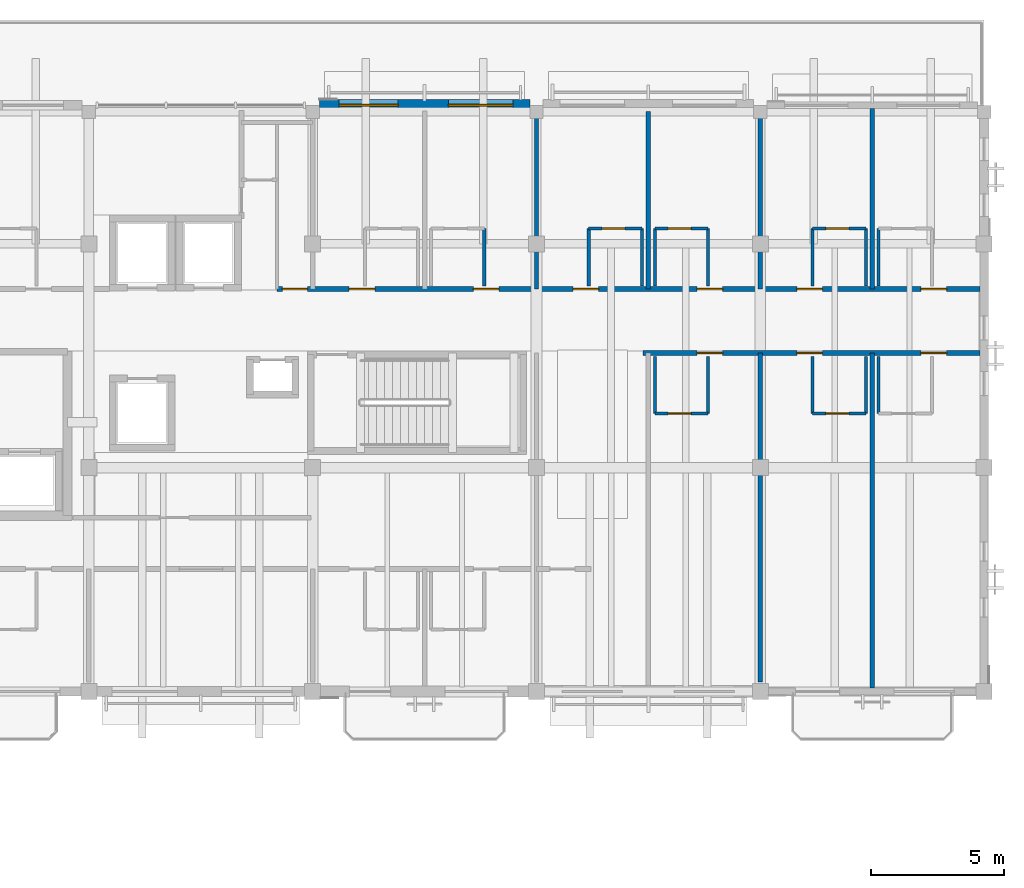
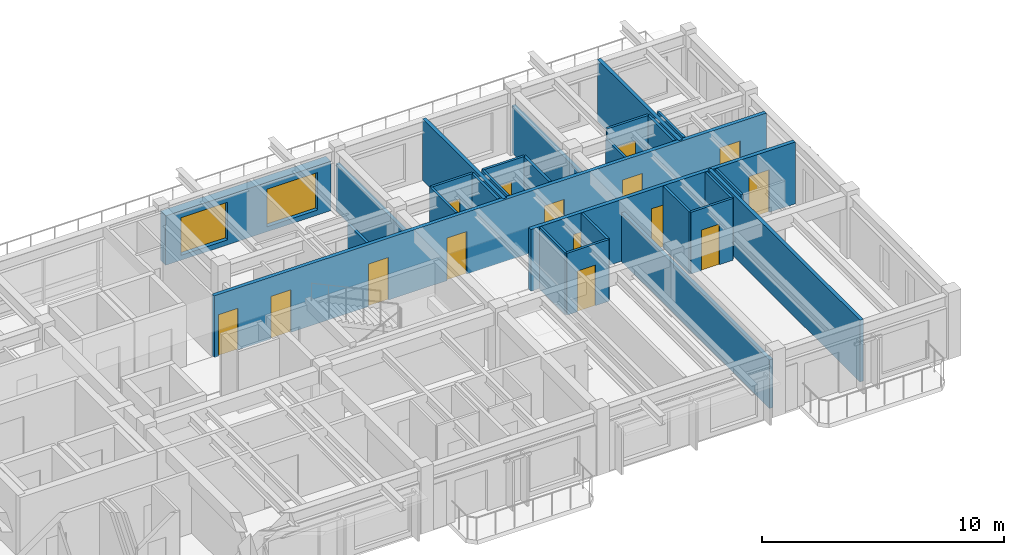
# One storey, part 14 of 22: 27 walls, 15 doors, 2 windows, 17 openings.
"""IFC4 building model written with IfcOpenShell, lengths in metres."""

from ifc_helpers import new_model, si_unit, direction, frame, frame_2d, origin, place, context, subcontext, project, spatial, rectangle, extrude, material, layer, layer_set, type_object, element, fill, save


model = new_model("IFC4")

# Units and contexts
model_context = context("Model", 3, precision=1e-05, world=origin(), true_north=direction((0.0, 1.0)))
body_context = subcontext(model_context, "Body", "Model", "MODEL_VIEW")
ifc_project = project(units=[si_unit("LENGTHUNIT", "METRE"), si_unit("AREAUNIT", "SQUARE_METRE"), si_unit("VOLUMEUNIT", "CUBIC_METRE"), si_unit("PLANEANGLEUNIT", "RADIAN"), si_unit("MASSUNIT", "GRAM", prefix="KILO")], contexts=[model_context])

# Site, building, storey
site_placement = place(None, origin())
site = spatial("IfcSite", under=ifc_project, at=site_placement, CompositionType="ELEMENT")
building_placement = place(site_placement, origin())
building = spatial("IfcBuilding", under=site, at=building_placement, Name="Cumbredor Promenade Congress Hotel", CompositionType="ELEMENT")
storey_placement = place(building_placement, frame((0.0, 0.0, 28.56005859375)))
storey = spatial("IfcBuildingStorey", under=building, at=storey_placement, Name="L08", CompositionType="ELEMENT", Elevation=28.56005859375)

# Wall
ifc_material_1 = material(Name="Moisture-resistant gypsum board on steel studs", Category="steel")
ifc_layer_1 = layer(ifc_material_1, 0.114990234375, Name="Moisture-resistant gypsum board on steel studs", Category="steel")
ifc_layer_set_1 = layer_set([ifc_layer_1], Name="Moisture-resistant gypsum board on steel studs")
wall_type_1 = type_object("IfcWallType", Name="WL-BATH-115", PredefinedType="PARTITIONING", material=ifc_layer_set_1)
wall_1_placement = place(storey_placement, frame((48.43994140625, 107.6201171875, 0.0), z_axis=(0.0, 0.0, 1.0), x_axis=(0.0, 1.0, 0.0)))
element("IfcWall", 1, at=wall_1_placement, inside=storey, type_object=wall_type_1, Name="L08 Interior Partition W-L08-BV2-0807", PredefinedType="PARTITIONING", context=body_context, shape_type="SweptSolid", body=[
    extrude(rectangle(XDim=2.14990234375, YDim=0.114990234375, at=frame_2d((1.074951171875, 0.0))), origin(), (0.0, 0.0, 1.0), 2.641845703125),
])

# Wall, opening, door
wall_2_placement = place(storey_placement, frame((52.360107421875, 109.77001953125, 0.0), z_axis=(0.0, 0.0, 1.0), x_axis=(1.0, 0.0, 0.0)))
wall_2 = element("IfcWall", 2, at=wall_2_placement, inside=storey, type_object=wall_type_1, Name="L08 Interior Partition W-L08-BH-0808", PredefinedType="PARTITIONING", context=body_context, shape_type="SweptSolid", body=[
    extrude(rectangle(XDim=2.0, YDim=0.114990234375, at=frame_2d((1.0, 0.0))), origin(), (0.0, 0.0, 1.0), 3.119873046875),
])
opening_1_placement = place(wall_2_placement, frame((0.5, 0.0, 0.0)))
opening_1 = element("IfcOpeningElement", 3, at=opening_1_placement, cuts=wall_2, Name="Opening ID-01", PredefinedType="OPENING", context=body_context, shape_type="SweptSolid", body=[
    extrude(rectangle(XDim=0.860107421875, YDim=2.050048828125, at=frame_2d((0.43017578125, 1.02490234375))), frame((0.0, 0.0673828125, 0.0), z_axis=(0.0, -1.0, 0.0), x_axis=(1.0, 0.0, 0.0)), (0.0, 0.0, 1.0), 0.135009765625),
])
ifc_material_2 = material(Name="Kiln-dried tropical hardwood", Category="wood")
door_type_1 = type_object("IfcDoorType", Name="DR-BATH-860", OperationType="NOTDEFINED", PredefinedType="DOOR", material=ifc_material_2)
door_1_placement = place(opening_1_placement, origin())
door_1 = element("IfcDoor", 4, at=door_1_placement, inside=storey, type_object=door_type_1, Name="L08 Interior Door W-L08-BH-0808-01", OperationType="SINGLE_SWING_RIGHT", OverallHeight=2.050048828125, OverallWidth=0.860107421875, PredefinedType="DOOR", context=body_context, shape_type="SweptSolid", body=[
    extrude(rectangle(XDim=0.860107421875, YDim=2.050048828125, at=frame_2d((0.43017578125, 1.02490234375))), frame((0.0, 0.02490234375, 0.0), z_axis=(0.0, -1.0, 0.0), x_axis=(1.0, 0.0, 0.0)), (0.0, 0.0, 1.0), 0.050048828125),
])
fill(opening_1, door_1)

# Walls
for number, where, z_axis, x_axis, name in (
    (5, (52.360107421875, 107.6201171875, 0.0), (0.0, 0.0, 1.0), (0.0, 1.0, 0.0), "L08 Interior Partition W-L08-BV1-0808"),
    (6, (54.360107421875, 107.6201171875, 0.0), (0.0, 0.0, 1.0), (0.0, 1.0, 0.0), "L08 Interior Partition W-L08-BV2-0808"),
):
    element("IfcWall", number, at=place(storey_placement, frame(where, z_axis=z_axis, x_axis=x_axis)), inside=storey, type_object=wall_type_1, Name=name, PredefinedType="PARTITIONING", context=body_context, shape_type="SweptSolid", body=[
        extrude(rectangle(XDim=2.14990234375, YDim=0.114990234375, at=frame_2d((1.074951171875, 0.0))), origin(), (0.0, 0.0, 1.0), 3.119873046875),
    ])

# Wall, opening, door
wall_3_placement = place(storey_placement, frame((54.840087890625, 109.77001953125, 0.0), z_axis=(0.0, 0.0, 1.0), x_axis=(1.0, 0.0, 0.0)))
wall_3 = element("IfcWall", 7, at=wall_3_placement, inside=storey, type_object=wall_type_1, Name="L08 Interior Partition W-L08-BH-0809", PredefinedType="PARTITIONING", context=body_context, shape_type="SweptSolid", body=[
    extrude(rectangle(XDim=2.0, YDim=0.114990234375, at=frame_2d((1.0, 0.0))), origin(), (0.0, 0.0, 1.0), 3.119873046875),
])
opening_2_placement = place(wall_3_placement, frame((0.5, 0.0, 0.0)))
opening_2 = element("IfcOpeningElement", 8, at=opening_2_placement, cuts=wall_3, Name="Opening ID-01", PredefinedType="OPENING", context=body_context, shape_type="SweptSolid", body=[
    extrude(rectangle(XDim=0.860107421875, YDim=2.050048828125, at=frame_2d((0.43017578125, 1.02490234375))), frame((0.0, 0.0673828125, 0.0), z_axis=(0.0, -1.0, 0.0), x_axis=(1.0, 0.0, 0.0)), (0.0, 0.0, 1.0), 0.135009765625),
])
door_2_placement = place(opening_2_placement, origin())
door_2 = element("IfcDoor", 9, at=door_2_placement, inside=storey, type_object=door_type_1, Name="L08 Interior Door W-L08-BH-0809-01", OperationType="SINGLE_SWING_LEFT", OverallHeight=2.050048828125, OverallWidth=0.860107421875, PredefinedType="DOOR", context=body_context, shape_type="SweptSolid", body=[
    extrude(rectangle(XDim=0.860107421875, YDim=2.050048828125, at=frame_2d((0.43017578125, 1.02490234375))), frame((0.0, 0.02490234375, 0.0), z_axis=(0.0, -1.0, 0.0), x_axis=(1.0, 0.0, 0.0)), (0.0, 0.0, 1.0), 0.050048828125),
])
fill(opening_2, door_2)

# Walls
for number, where, z_axis, x_axis, name in (
    (10, (54.840087890625, 107.6201171875, 0.0), (0.0, 0.0, 1.0), (0.0, 1.0, 0.0), "L08 Interior Partition W-L08-BV1-0809"),
    (11, (56.840087890625, 107.6201171875, 0.0), (0.0, 0.0, 1.0), (0.0, 1.0, 0.0), "L08 Interior Partition W-L08-BV2-0809"),
):
    element("IfcWall", number, at=place(storey_placement, frame(where, z_axis=z_axis, x_axis=x_axis)), inside=storey, type_object=wall_type_1, Name=name, PredefinedType="PARTITIONING", context=body_context, shape_type="SweptSolid", body=[
        extrude(rectangle(XDim=2.14990234375, YDim=0.114990234375, at=frame_2d((1.074951171875, 0.0))), origin(), (0.0, 0.0, 1.0), 3.119873046875),
    ])

# Wall, opening, door
wall_4_placement = place(storey_placement, frame((60.760009765625, 109.77001953125, 0.0), z_axis=(0.0, 0.0, 1.0), x_axis=(1.0, 0.0, 0.0)))
wall_4 = element("IfcWall", 12, at=wall_4_placement, inside=storey, type_object=wall_type_1, Name="L08 Interior Partition W-L08-BH-0810", PredefinedType="PARTITIONING", context=body_context, shape_type="SweptSolid", body=[
    extrude(rectangle(XDim=2.0, YDim=0.114990234375, at=frame_2d((1.0, 0.0))), origin(), (0.0, 0.0, 1.0), 3.119873046875),
])
opening_3_placement = place(wall_4_placement, frame((0.5, 0.0, 0.0)))
opening_3 = element("IfcOpeningElement", 13, at=opening_3_placement, cuts=wall_4, Name="Opening ID-01", PredefinedType="OPENING", context=body_context, shape_type="SweptSolid", body=[
    extrude(rectangle(XDim=0.860107421875, YDim=2.050048828125, at=frame_2d((0.43017578125, 1.02490234375))), frame((0.0, 0.0673828125, 0.0), z_axis=(0.0, -1.0, 0.0), x_axis=(1.0, 0.0, 0.0)), (0.0, 0.0, 1.0), 0.135009765625),
])
door_3_placement = place(opening_3_placement, origin())
door_3 = element("IfcDoor", 14, at=door_3_placement, inside=storey, type_object=door_type_1, Name="L08 Interior Door W-L08-BH-0810-01", OperationType="SINGLE_SWING_RIGHT", OverallHeight=2.050048828125, OverallWidth=0.860107421875, PredefinedType="DOOR", context=body_context, shape_type="SweptSolid", body=[
    extrude(rectangle(XDim=0.860107421875, YDim=2.050048828125, at=frame_2d((0.43017578125, 1.02490234375))), frame((0.0, 0.02490234375, 0.0), z_axis=(0.0, -1.0, 0.0), x_axis=(1.0, 0.0, 0.0)), (0.0, 0.0, 1.0), 0.050048828125),
])
fill(opening_3, door_3)

# Walls
wall_5_placement = place(storey_placement, frame((60.760009765625, 107.6201171875, 0.0), z_axis=(0.0, 0.0, 1.0), x_axis=(0.0, 1.0, 0.0)))
element("IfcWall", 15, at=wall_5_placement, inside=storey, type_object=wall_type_1, Name="L08 Interior Partition W-L08-BV1-0810", PredefinedType="PARTITIONING", context=body_context, shape_type="SweptSolid", body=[
    extrude(rectangle(XDim=2.14990234375, YDim=0.114990234375, at=frame_2d((1.074951171875, 0.0))), origin(), (0.0, 0.0, 1.0), 2.641845703125),
])
for number, where, z_axis, x_axis, name in (
    (16, (62.760009765625, 107.6201171875, 0.0), (0.0, 0.0, 1.0), (0.0, 1.0, 0.0), "L08 Interior Partition W-L08-BV2-0810"),
    (17, (63.239990234375, 107.6201171875, 0.0), (0.0, 0.0, 1.0), (0.0, 1.0, 0.0), "L08 Interior Partition W-L08-BV1-0811"),
):
    element("IfcWall", number, at=place(storey_placement, frame(where, z_axis=z_axis, x_axis=x_axis)), inside=storey, type_object=wall_type_1, Name=name, PredefinedType="PARTITIONING", context=body_context, shape_type="SweptSolid", body=[
        extrude(rectangle(XDim=2.14990234375, YDim=0.114990234375, at=frame_2d((1.074951171875, 0.0))), origin(), (0.0, 0.0, 1.0), 3.119873046875),
    ])

# Wall, opening, door
wall_6_placement = place(storey_placement, frame((54.840087890625, 102.830078125, 0.0), z_axis=(0.0, 0.0, 1.0), x_axis=(1.0, 0.0, 0.0)))
wall_6 = element("IfcWall", 18, at=wall_6_placement, inside=storey, type_object=wall_type_1, Name="L08 Interior Partition W-L08-BH-0812", PredefinedType="PARTITIONING", context=body_context, shape_type="SweptSolid", body=[
    extrude(rectangle(XDim=2.0, YDim=0.114990234375, at=frame_2d((1.0, 0.0))), origin(), (0.0, 0.0, 1.0), 3.119873046875),
])
opening_4_placement = place(wall_6_placement, frame((0.5, 0.0, 0.0)))
opening_4 = element("IfcOpeningElement", 19, at=opening_4_placement, cuts=wall_6, Name="Opening ID-01", PredefinedType="OPENING", context=body_context, shape_type="SweptSolid", body=[
    extrude(rectangle(XDim=0.860107421875, YDim=2.050048828125, at=frame_2d((0.43017578125, 1.02490234375))), frame((0.0, 0.0673828125, 0.0), z_axis=(0.0, -1.0, 0.0), x_axis=(1.0, 0.0, 0.0)), (0.0, 0.0, 1.0), 0.135009765625),
])
door_4_placement = place(opening_4_placement, origin())
door_4 = element("IfcDoor", 20, at=door_4_placement, inside=storey, type_object=door_type_1, Name="L08 Interior Door W-L08-BH-0812-01", OperationType="SINGLE_SWING_RIGHT", OverallHeight=2.050048828125, OverallWidth=0.860107421875, PredefinedType="DOOR", context=body_context, shape_type="SweptSolid", body=[
    extrude(rectangle(XDim=0.860107421875, YDim=2.050048828125, at=frame_2d((0.43017578125, 1.02490234375))), frame((0.0, 0.02490234375, 0.0), z_axis=(0.0, -1.0, 0.0), x_axis=(1.0, 0.0, 0.0)), (0.0, 0.0, 1.0), 0.050048828125),
])
fill(opening_4, door_4)

# Walls
for number, where, z_axis, x_axis, name in (
    (21, (54.840087890625, 102.830078125, 0.0), (0.0, 0.0, 1.0), (0.0, 1.0, 0.0), "L08 Interior Partition W-L08-BV1-0812"),
    (22, (56.840087890625, 102.830078125, 0.0), (0.0, 0.0, 1.0), (0.0, 1.0, 0.0), "L08 Interior Partition W-L08-BV2-0812"),
):
    element("IfcWall", number, at=place(storey_placement, frame(where, z_axis=z_axis, x_axis=x_axis)), inside=storey, type_object=wall_type_1, Name=name, PredefinedType="PARTITIONING", context=body_context, shape_type="SweptSolid", body=[
        extrude(rectangle(XDim=2.14990234375, YDim=0.114990234375, at=frame_2d((1.074951171875, 0.0))), origin(), (0.0, 0.0, 1.0), 3.119873046875),
    ])

# Wall, opening, door
wall_7_placement = place(storey_placement, frame((60.760009765625, 102.830078125, 0.0), z_axis=(0.0, 0.0, 1.0), x_axis=(1.0, 0.0, 0.0)))
wall_7 = element("IfcWall", 23, at=wall_7_placement, inside=storey, type_object=wall_type_1, Name="L08 Interior Partition W-L08-BH-0813", PredefinedType="PARTITIONING", context=body_context, shape_type="SweptSolid", body=[
    extrude(rectangle(XDim=2.0, YDim=0.114990234375, at=frame_2d((1.0, 0.0))), origin(), (0.0, 0.0, 1.0), 3.119873046875),
])
opening_5_placement = place(wall_7_placement, frame((0.5, 0.0, 0.0)))
opening_5 = element("IfcOpeningElement", 24, at=opening_5_placement, cuts=wall_7, Name="Opening ID-01", PredefinedType="OPENING", context=body_context, shape_type="SweptSolid", body=[
    extrude(rectangle(XDim=0.860107421875, YDim=2.050048828125, at=frame_2d((0.43017578125, 1.02490234375))), frame((0.0, 0.0673828125, 0.0), z_axis=(0.0, -1.0, 0.0), x_axis=(1.0, 0.0, 0.0)), (0.0, 0.0, 1.0), 0.135009765625),
])
door_5_placement = place(opening_5_placement, origin())
door_5 = element("IfcDoor", 25, at=door_5_placement, inside=storey, type_object=door_type_1, Name="L08 Interior Door W-L08-BH-0813-01", OperationType="SINGLE_SWING_LEFT", OverallHeight=2.050048828125, OverallWidth=0.860107421875, PredefinedType="DOOR", context=body_context, shape_type="SweptSolid", body=[
    extrude(rectangle(XDim=0.860107421875, YDim=2.050048828125, at=frame_2d((0.43017578125, 1.02490234375))), frame((0.0, 0.02490234375, 0.0), z_axis=(0.0, -1.0, 0.0), x_axis=(1.0, 0.0, 0.0)), (0.0, 0.0, 1.0), 0.050048828125),
])
fill(opening_5, door_5)

# Walls
for number, where, z_axis, x_axis, name in (
    (26, (60.760009765625, 102.830078125, 0.0), (0.0, 0.0, 1.0), (0.0, 1.0, 0.0), "L08 Interior Partition W-L08-BV1-0813"),
    (27, (62.760009765625, 102.830078125, 0.0), (0.0, 0.0, 1.0), (0.0, 1.0, 0.0), "L08 Interior Partition W-L08-BV2-0813"),
    (28, (63.239990234375, 102.830078125, 0.0), (0.0, 0.0, 1.0), (0.0, 1.0, 0.0), "L08 Interior Partition W-L08-BV1-0814"),
):
    element("IfcWall", number, at=place(storey_placement, frame(where, z_axis=z_axis, x_axis=x_axis)), inside=storey, type_object=wall_type_1, Name=name, PredefinedType="PARTITIONING", context=body_context, shape_type="SweptSolid", body=[
        extrude(rectangle(XDim=2.14990234375, YDim=0.114990234375, at=frame_2d((1.074951171875, 0.0))), origin(), (0.0, 0.0, 1.0), 3.119873046875),
    ])

# Wall, openings, doors
ifc_material_3 = material(Name="Fire-rated hotel corridor wall")
ifc_layer_2 = layer(ifc_material_3, 0.179931640625, Name="Fire-rated hotel corridor wall")
ifc_layer_set_2 = layer_set([ifc_layer_2], Name="Fire-rated hotel corridor wall")
wall_type_2 = type_object("IfcWallType", Name="WL-CORR-180", PredefinedType="PARTITIONING", material=ifc_layer_set_2)
wall_8_placement = place(storey_placement, frame((40.659912109375, 107.5, 0.0), z_axis=(0.0, 0.0, 1.0), x_axis=(1.0, 0.0, 0.0)))
wall_8 = element("IfcWall", 29, at=wall_8_placement, inside=storey, type_object=wall_type_2, Name="L08 Interior Partition W-L08-CORR-NE", PredefinedType="PARTITIONING", context=body_context, shape_type="SweptSolid", body=[
    extrude(rectangle(XDim=26.377685546875, YDim=0.179931640625, at=frame_2d((13.18896484375, 0.0))), origin(), (0.0, 0.0, 1.0), 3.119873046875),
])
opening_6_placement = place(wall_8_placement, frame((0.199951171875, 0.0, 0.0)))
opening_6 = element("IfcOpeningElement", 30, at=opening_6_placement, cuts=wall_8, Name="Opening FD-03", PredefinedType="OPENING", context=body_context, shape_type="SweptSolid", body=[
    extrude(rectangle(XDim=0.93994140625, YDim=2.10009765625, at=frame_2d((0.469970703125, 1.050048828125))), frame((0.0, 0.10009765625, 0.0), z_axis=(0.0, -1.0, 0.0), x_axis=(1.0, 0.0, 0.0)), (0.0, 0.0, 1.0), 0.199951171875),
])
opening_7_placement = place(wall_8_placement, frame((2.7099609375, 0.0, 0.0)))
opening_7 = element("IfcOpeningElement", 31, at=opening_7_placement, cuts=wall_8, Name="Opening FD-01", PredefinedType="OPENING", context=body_context, shape_type="SweptSolid", body=[
    extrude(rectangle(XDim=0.9599609375, YDim=2.14990234375, at=frame_2d((0.47998046875, 1.074951171875))), frame((0.0, 0.10009765625, 0.0), z_axis=(0.0, -1.0, 0.0), x_axis=(1.0, 0.0, 0.0)), (0.0, 0.0, 1.0), 0.199951171875),
])
opening_8_placement = place(wall_8_placement, frame((7.3701171875, 0.0, 0.0)))
opening_8 = element("IfcOpeningElement", 32, at=opening_8_placement, cuts=wall_8, Name="Opening FD-01", PredefinedType="OPENING", context=body_context, shape_type="SweptSolid", body=[
    extrude(rectangle(XDim=0.9599609375, YDim=2.14990234375, at=frame_2d((0.47998046875, 1.074951171875))), frame((0.0, 0.10009765625, 0.0), z_axis=(0.0, -1.0, 0.0), x_axis=(1.0, 0.0, 0.0)), (0.0, 0.0, 1.0), 0.199951171875),
])
opening_9_placement = place(wall_8_placement, frame((11.110107421875, 0.0, 0.0)))
opening_9 = element("IfcOpeningElement", 33, at=opening_9_placement, cuts=wall_8, Name="Opening FD-01", PredefinedType="OPENING", context=body_context, shape_type="SweptSolid", body=[
    extrude(rectangle(XDim=0.9599609375, YDim=2.14990234375, at=frame_2d((0.47998046875, 1.074951171875))), frame((0.0, 0.10009765625, 0.0), z_axis=(0.0, -1.0, 0.0), x_axis=(1.0, 0.0, 0.0)), (0.0, 0.0, 1.0), 0.199951171875),
])
opening_10_placement = place(wall_8_placement, frame((15.77001953125, 0.0, 0.0)))
opening_10 = element("IfcOpeningElement", 34, at=opening_10_placement, cuts=wall_8, Name="Opening FD-01", PredefinedType="OPENING", context=body_context, shape_type="SweptSolid", body=[
    extrude(rectangle(XDim=0.9599609375, YDim=2.14990234375, at=frame_2d((0.47998046875, 1.074951171875))), frame((0.0, 0.10009765625, 0.0), z_axis=(0.0, -1.0, 0.0), x_axis=(1.0, 0.0, 0.0)), (0.0, 0.0, 1.0), 0.199951171875),
])
opening_11_placement = place(wall_8_placement, frame((19.510009765625, 0.0, 0.0)))
opening_11 = element("IfcOpeningElement", 35, at=opening_11_placement, cuts=wall_8, Name="Opening FD-01", PredefinedType="OPENING", context=body_context, shape_type="SweptSolid", body=[
    extrude(rectangle(XDim=0.9599609375, YDim=2.14990234375, at=frame_2d((0.47998046875, 1.074951171875))), frame((0.0, 0.10009765625, 0.0), z_axis=(0.0, -1.0, 0.0), x_axis=(1.0, 0.0, 0.0)), (0.0, 0.0, 1.0), 0.199951171875),
])
opening_12_placement = place(wall_8_placement, frame((24.169921875, 0.0, 0.0)))
opening_12 = element("IfcOpeningElement", 36, at=opening_12_placement, cuts=wall_8, Name="Opening FD-01", PredefinedType="OPENING", context=body_context, shape_type="SweptSolid", body=[
    extrude(rectangle(XDim=0.9599609375, YDim=2.14990234375, at=frame_2d((0.47998046875, 1.074951171875))), frame((0.0, 0.10009765625, 0.0), z_axis=(0.0, -1.0, 0.0), x_axis=(1.0, 0.0, 0.0)), (0.0, 0.0, 1.0), 0.199951171875),
])
ifc_material_4 = material(Name="Solid-core fire-rated tropical hardwood", Category="wood")
door_type_2 = type_object("IfcDoorType", Name="DR-GUEST-FD30-950", OperationType="NOTDEFINED", PredefinedType="DOOR", material=ifc_material_4)
door_6_placement = place(opening_7_placement, origin())
door_6 = element("IfcDoor", 37, at=door_6_placement, inside=storey, type_object=door_type_2, Name="L08 Interior Door W-L08-CORR-NE-02", OperationType="SINGLE_SWING_LEFT", OverallHeight=2.14990234375, OverallWidth=0.9599609375, PredefinedType="DOOR", context=body_context, shape_type="SweptSolid", body=[
    extrude(rectangle(XDim=0.9599609375, YDim=2.14990234375, at=frame_2d((0.47998046875, 1.074951171875))), frame((0.0, 0.02490234375, 0.0), z_axis=(0.0, -1.0, 0.0), x_axis=(1.0, 0.0, 0.0)), (0.0, 0.0, 1.0), 0.050048828125),
])
fill(opening_7, door_6)
door_7_placement = place(opening_8_placement, origin())
door_7 = element("IfcDoor", 38, at=door_7_placement, inside=storey, type_object=door_type_2, Name="L08 Interior Door W-L08-CORR-NE-03", OperationType="SINGLE_SWING_RIGHT", OverallHeight=2.14990234375, OverallWidth=0.9599609375, PredefinedType="DOOR", context=body_context, shape_type="SweptSolid", body=[
    extrude(rectangle(XDim=0.9599609375, YDim=2.14990234375, at=frame_2d((0.47998046875, 1.074951171875))), frame((0.0, 0.02490234375, 0.0), z_axis=(0.0, -1.0, 0.0), x_axis=(1.0, 0.0, 0.0)), (0.0, 0.0, 1.0), 0.050048828125),
])
fill(opening_8, door_7)
door_8_placement = place(opening_9_placement, origin())
door_8 = element("IfcDoor", 39, at=door_8_placement, inside=storey, type_object=door_type_2, Name="L08 Interior Door W-L08-CORR-NE-04", OperationType="SINGLE_SWING_LEFT", OverallHeight=2.14990234375, OverallWidth=0.9599609375, PredefinedType="DOOR", context=body_context, shape_type="SweptSolid", body=[
    extrude(rectangle(XDim=0.9599609375, YDim=2.14990234375, at=frame_2d((0.47998046875, 1.074951171875))), frame((0.0, 0.02490234375, 0.0), z_axis=(0.0, -1.0, 0.0), x_axis=(1.0, 0.0, 0.0)), (0.0, 0.0, 1.0), 0.050048828125),
])
fill(opening_9, door_8)
door_9_placement = place(opening_10_placement, origin())
door_9 = element("IfcDoor", 40, at=door_9_placement, inside=storey, type_object=door_type_2, Name="L08 Interior Door W-L08-CORR-NE-05", OperationType="SINGLE_SWING_RIGHT", OverallHeight=2.14990234375, OverallWidth=0.9599609375, PredefinedType="DOOR", context=body_context, shape_type="SweptSolid", body=[
    extrude(rectangle(XDim=0.9599609375, YDim=2.14990234375, at=frame_2d((0.47998046875, 1.074951171875))), frame((0.0, 0.02490234375, 0.0), z_axis=(0.0, -1.0, 0.0), x_axis=(1.0, 0.0, 0.0)), (0.0, 0.0, 1.0), 0.050048828125),
])
fill(opening_10, door_9)
door_10_placement = place(opening_11_placement, origin())
door_10 = element("IfcDoor", 41, at=door_10_placement, inside=storey, type_object=door_type_2, Name="L08 Interior Door W-L08-CORR-NE-06", OperationType="SINGLE_SWING_LEFT", OverallHeight=2.14990234375, OverallWidth=0.9599609375, PredefinedType="DOOR", context=body_context, shape_type="SweptSolid", body=[
    extrude(rectangle(XDim=0.9599609375, YDim=2.14990234375, at=frame_2d((0.47998046875, 1.074951171875))), frame((0.0, 0.02490234375, 0.0), z_axis=(0.0, -1.0, 0.0), x_axis=(1.0, 0.0, 0.0)), (0.0, 0.0, 1.0), 0.050048828125),
])
fill(opening_11, door_10)
door_11_placement = place(opening_12_placement, origin())
door_11 = element("IfcDoor", 42, at=door_11_placement, inside=storey, type_object=door_type_2, Name="L08 Interior Door W-L08-CORR-NE-07", OperationType="SINGLE_SWING_RIGHT", OverallHeight=2.14990234375, OverallWidth=0.9599609375, PredefinedType="DOOR", context=body_context, shape_type="SweptSolid", body=[
    extrude(rectangle(XDim=0.9599609375, YDim=2.14990234375, at=frame_2d((0.47998046875, 1.074951171875))), frame((0.0, 0.02490234375, 0.0), z_axis=(0.0, -1.0, 0.0), x_axis=(1.0, 0.0, 0.0)), (0.0, 0.0, 1.0), 0.050048828125),
])
fill(opening_12, door_11)
ifc_material_5 = material(Name="Painted galvanized steel fire door", Category="steel")
door_type_3 = type_object("IfcDoorType", Name="DR-SGL-FD60-950", OperationType="NOTDEFINED", PredefinedType="DOOR", material=ifc_material_5)
door_12_placement = place(opening_6_placement, origin())
door_12 = element("IfcDoor", 43, at=door_12_placement, inside=storey, type_object=door_type_3, Name="L08 Interior Door W-L08-CORR-NE-01", OperationType="SINGLE_SWING_RIGHT", OverallHeight=2.10009765625, OverallWidth=0.93994140625, PredefinedType="DOOR", context=body_context, shape_type="SweptSolid", body=[
    extrude(rectangle(XDim=0.93994140625, YDim=2.10009765625, at=frame_2d((0.469970703125, 1.050048828125))), frame((0.0, 0.02490234375, 0.0), z_axis=(0.0, -1.0, 0.0), x_axis=(1.0, 0.0, 0.0)), (0.0, 0.0, 1.0), 0.050048828125),
])
fill(opening_6, door_12)

wall_9_placement = place(storey_placement, frame((54.39990234375, 105.10009765625, 0.0), z_axis=(0.0, 0.0, 1.0), x_axis=(1.0, 0.0, 0.0)))
wall_9 = element("IfcWall", 44, at=wall_9_placement, inside=storey, type_object=wall_type_2, Name="L08 Interior Partition W-L08-CORR-SE", PredefinedType="PARTITIONING", context=body_context, shape_type="SweptSolid", body=[
    extrude(rectangle(XDim=12.6376953125, YDim=0.179931640625, at=frame_2d((6.31884765625, 0.0))), origin(), (0.0, 0.0, 1.0), 3.119873046875),
])
opening_13_placement = place(wall_9_placement, frame((2.030029296875, 0.0, 0.0)))
opening_13 = element("IfcOpeningElement", 45, at=opening_13_placement, cuts=wall_9, Name="Opening FD-01", PredefinedType="OPENING", context=body_context, shape_type="SweptSolid", body=[
    extrude(rectangle(XDim=0.9599609375, YDim=2.14990234375, at=frame_2d((0.47998046875, 1.074951171875))), frame((0.0, 0.10009765625, 0.0), z_axis=(0.0, -1.0, 0.0), x_axis=(1.0, 0.0, 0.0)), (0.0, 0.0, 1.0), 0.199951171875),
])
opening_14_placement = place(wall_9_placement, frame((5.77001953125, 0.0, 0.0)))
opening_14 = element("IfcOpeningElement", 46, at=opening_14_placement, cuts=wall_9, Name="Opening FD-01", PredefinedType="OPENING", context=body_context, shape_type="SweptSolid", body=[
    extrude(rectangle(XDim=0.9599609375, YDim=2.14990234375, at=frame_2d((0.47998046875, 1.074951171875))), frame((0.0, 0.10009765625, 0.0), z_axis=(0.0, -1.0, 0.0), x_axis=(1.0, 0.0, 0.0)), (0.0, 0.0, 1.0), 0.199951171875),
])
opening_15_placement = place(wall_9_placement, frame((10.429931640625, 0.0, 0.0)))
opening_15 = element("IfcOpeningElement", 47, at=opening_15_placement, cuts=wall_9, Name="Opening FD-01", PredefinedType="OPENING", context=body_context, shape_type="SweptSolid", body=[
    extrude(rectangle(XDim=0.9599609375, YDim=2.14990234375, at=frame_2d((0.47998046875, 1.074951171875))), frame((0.0, 0.10009765625, 0.0), z_axis=(0.0, -1.0, 0.0), x_axis=(1.0, 0.0, 0.0)), (0.0, 0.0, 1.0), 0.199951171875),
])
door_13_placement = place(opening_13_placement, origin())
door_13 = element("IfcDoor", 48, at=door_13_placement, inside=storey, type_object=door_type_2, Name="L08 Interior Door W-L08-CORR-SE-01", OperationType="SINGLE_SWING_LEFT", OverallHeight=2.14990234375, OverallWidth=0.9599609375, PredefinedType="DOOR", context=body_context, shape_type="SweptSolid", body=[
    extrude(rectangle(XDim=0.9599609375, YDim=2.14990234375, at=frame_2d((0.47998046875, 1.074951171875))), frame((0.0, 0.02490234375, 0.0), z_axis=(0.0, -1.0, 0.0), x_axis=(1.0, 0.0, 0.0)), (0.0, 0.0, 1.0), 0.050048828125),
])
fill(opening_13, door_13)
door_14_placement = place(opening_14_placement, origin())
door_14 = element("IfcDoor", 49, at=door_14_placement, inside=storey, type_object=door_type_2, Name="L08 Interior Door W-L08-CORR-SE-02", OperationType="SINGLE_SWING_RIGHT", OverallHeight=2.14990234375, OverallWidth=0.9599609375, PredefinedType="DOOR", context=body_context, shape_type="SweptSolid", body=[
    extrude(rectangle(XDim=0.9599609375, YDim=2.14990234375, at=frame_2d((0.47998046875, 1.074951171875))), frame((0.0, 0.02490234375, 0.0), z_axis=(0.0, -1.0, 0.0), x_axis=(1.0, 0.0, 0.0)), (0.0, 0.0, 1.0), 0.050048828125),
])
fill(opening_14, door_14)
door_15_placement = place(opening_15_placement, origin())
door_15 = element("IfcDoor", 50, at=door_15_placement, inside=storey, type_object=door_type_2, Name="L08 Interior Door W-L08-CORR-SE-03", OperationType="SINGLE_SWING_LEFT", OverallHeight=2.14990234375, OverallWidth=0.9599609375, PredefinedType="DOOR", context=body_context, shape_type="SweptSolid", body=[
    extrude(rectangle(XDim=0.9599609375, YDim=2.14990234375, at=frame_2d((0.47998046875, 1.074951171875))), frame((0.0, 0.02490234375, 0.0), z_axis=(0.0, -1.0, 0.0), x_axis=(1.0, 0.0, 0.0)), (0.0, 0.0, 1.0), 0.050048828125),
])
fill(opening_15, door_15)

# Wall, openings, windows
ifc_material_6 = material(Name="Concrete C40/50", Category="concrete")
ifc_layer_3 = layer(ifc_material_6, 0.425048828125, Name="Concrete C40/50", Category="concrete")
ifc_layer_set_3 = layer_set([ifc_layer_3], Name="Concrete C40/50")
wall_type_3 = type_object("IfcWallType", Name="WL-EXT-425", PredefinedType="SOLIDWALL", material=ifc_layer_set_3)
wall_10_placement = place(storey_placement, frame((42.2509765625, 114.39990234375, 0.0), z_axis=(0.0, 0.0, 1.0), x_axis=(1.0, 0.0, 0.0)))
wall_10 = element("IfcWall", 51, at=wall_10_placement, inside=storey, type_object=wall_type_3, Name="L08 Stepped Congress Hotel Wing North Envelope Wall 5", PredefinedType="SOLIDWALL", context=body_context, shape_type="SweptSolid", body=[
    extrude(rectangle(XDim=7.89794921875, YDim=0.425048828125, at=frame_2d((3.948974609375, 0.0))), origin(), (0.0, 0.0, 1.0), 2.493896484375),
])
opening_16_placement = place(wall_10_placement, frame((0.739013671875, 0.0, 0.25)))
opening_16 = element("IfcOpeningElement", 52, at=opening_16_placement, cuts=wall_10, Name="Opening WN-35", PredefinedType="OPENING", context=body_context, shape_type="SweptSolid", body=[
    extrude(rectangle(XDim=2.219970703125, YDim=1.89990234375, at=frame_2d((1.10986328125, 0.949951171875))), frame((0.0, 0.22265625, 0.0), z_axis=(0.0, -1.0, 0.0), x_axis=(1.0, 0.0, 0.0)), (0.0, 0.0, 1.0), 0.445068359375),
])
opening_17_placement = place(wall_10_placement, frame((4.839111328125, 0.0, 0.25)))
opening_17 = element("IfcOpeningElement", 53, at=opening_17_placement, cuts=wall_10, Name="Opening WN-37", PredefinedType="OPENING", context=body_context, shape_type="SweptSolid", body=[
    extrude(rectangle(XDim=2.419921875, YDim=1.89990234375, at=frame_2d((1.2099609375, 0.949951171875))), frame((0.0, 0.22265625, 0.0), z_axis=(0.0, -1.0, 0.0), x_axis=(1.0, 0.0, 0.0)), (0.0, 0.0, 1.0), 0.445068359375),
])
ifc_material_7 = material(Name="Thermally broken anodized aluminium and low-E glass", Category="aluminium")
window_type_1 = type_object("IfcWindowType", Name="Hospitality Floor-to-Ceiling Window WN-35 2220x1900", PartitioningType="DOUBLE_PANEL_VERTICAL", PredefinedType="WINDOW", material=ifc_material_7)
window_1_placement = place(opening_16_placement, origin())
window_1 = element("IfcWindow", 54, at=window_1_placement, inside=storey, type_object=window_type_1, Name="L08 Wide Hospitality Window 0663", OverallHeight=1.89990234375, OverallWidth=2.219970703125, PartitioningType="DOUBLE_PANEL_VERTICAL", PredefinedType="WINDOW", context=body_context, shape_type="SweptSolid", body=[
    extrude(rectangle(XDim=2.219970703125, YDim=1.89990234375, at=frame_2d((1.10986328125, 0.949951171875))), frame((0.0, 0.030029296875, 0.0), z_axis=(0.0, -1.0, 0.0), x_axis=(1.0, 0.0, 0.0)), (0.0, 0.0, 1.0), 0.06005859375),
])
fill(opening_16, window_1)
window_type_2 = type_object("IfcWindowType", Name="Hospitality Floor-to-Ceiling Window WN-37 2420x1900", PartitioningType="DOUBLE_PANEL_VERTICAL", PredefinedType="WINDOW", material=ifc_material_7)
window_2_placement = place(opening_17_placement, origin())
window_2 = element("IfcWindow", 55, at=window_2_placement, inside=storey, type_object=window_type_2, Name="L08 Wide Hospitality Window 0664", OverallHeight=1.89990234375, OverallWidth=2.419921875, PartitioningType="DOUBLE_PANEL_VERTICAL", PredefinedType="WINDOW", context=body_context, shape_type="SweptSolid", body=[
    extrude(rectangle(XDim=2.419921875, YDim=1.89990234375, at=frame_2d((1.2099609375, 0.949951171875))), frame((0.0, 0.030029296875, 0.0), z_axis=(0.0, -1.0, 0.0), x_axis=(1.0, 0.0, 0.0)), (0.0, 0.0, 1.0), 0.06005859375),
])
fill(opening_17, window_2)

# Walls
ifc_material_8 = material(Name="Fire-rated acoustic double-stud partition")
ifc_layer_4 = layer(ifc_material_8, 0.1650390625, Name="Fire-rated acoustic double-stud partition")
ifc_layer_set_4 = layer_set([ifc_layer_4], Name="Fire-rated acoustic double-stud partition")
wall_type_4 = type_object("IfcWallType", Name="WL-UNIT-165", PredefinedType="PARTITIONING", material=ifc_layer_set_4)
wall_11_placement = place(storey_placement, frame((54.60009765625, 107.5, 0.0), z_axis=(0.0, 0.0, 1.0), x_axis=(0.0, 1.0, 0.0)))
element("IfcWall", 56, at=wall_11_placement, inside=storey, type_object=wall_type_4, Name="L08 Interior Partition W-L08-N-DIV-5-M", PredefinedType="PARTITIONING", context=body_context, shape_type="SweptSolid", body=[
    extrude(rectangle(XDim=6.675048828125, YDim=0.1650390625, at=frame_2d((3.33740234375, 0.0))), origin(), (0.0, 0.0, 1.0), 3.119873046875),
])
wall_12_placement = place(storey_placement, frame((50.39990234375, 107.5, 0.0), z_axis=(0.0, 0.0, 1.0), x_axis=(0.0, 1.0, 0.0)))
element("IfcWall", 57, at=wall_12_placement, inside=storey, type_object=wall_type_4, Name="L08 Interior Partition W-L08-N-DIV-5-G", PredefinedType="PARTITIONING", context=body_context, shape_type="SweptSolid", body=[
    extrude(rectangle(XDim=6.550048828125, YDim=0.1650390625, at=frame_2d((3.27490234375, 0.0))), origin(), (0.0, 0.0, 1.0), 2.409912109375),
])
wall_13_placement = place(storey_placement, frame((63.0, 107.5, 0.0), z_axis=(0.0, 0.0, 1.0), x_axis=(0.0, 1.0, 0.0)))
element("IfcWall", 58, at=wall_13_placement, inside=storey, type_object=wall_type_4, Name="L08 Interior Partition W-L08-N-DIV-6-M", PredefinedType="PARTITIONING", context=body_context, shape_type="SweptSolid", body=[
    extrude(rectangle(XDim=6.77001953125, YDim=0.1650390625, at=frame_2d((3.385009765625, 0.0))), origin(), (0.0, 0.0, 1.0), 3.119873046875),
])
wall_14_placement = place(storey_placement, frame((58.800048828125, 107.5, 0.0), z_axis=(0.0, 0.0, 1.0), x_axis=(0.0, 1.0, 0.0)))
element("IfcWall", 59, at=wall_14_placement, inside=storey, type_object=wall_type_4, Name="L08 Interior Partition W-L08-N-DIV-6-G", PredefinedType="PARTITIONING", context=body_context, shape_type="SweptSolid", body=[
    extrude(rectangle(XDim=6.550048828125, YDim=0.1650390625, at=frame_2d((3.27490234375, 0.0))), origin(), (0.0, 0.0, 1.0), 2.409912109375),
])
wall_15_placement = place(storey_placement, frame((63.0, 92.530029296875, 0.0), z_axis=(0.0, 0.0, 1.0), x_axis=(0.0, 1.0, 0.0)))
element("IfcWall", 60, at=wall_15_placement, inside=storey, type_object=wall_type_4, Name="L08 Interior Partition W-L08-SE-DIV-1-M", PredefinedType="PARTITIONING", context=body_context, shape_type="SweptSolid", body=[
    extrude(rectangle(XDim=12.570068359375, YDim=0.1650390625, at=frame_2d((6.28515625, 0.0))), origin(), (0.0, 0.0, 1.0), 3.119873046875),
])
wall_16_placement = place(storey_placement, frame((58.800048828125, 92.75, 0.0), z_axis=(0.0, 0.0, 1.0), x_axis=(0.0, 1.0, 0.0)))
element("IfcWall", 61, at=wall_16_placement, inside=storey, type_object=wall_type_4, Name="L08 Interior Partition W-L08-SE-DIV-1-G", PredefinedType="PARTITIONING", context=body_context, shape_type="SweptSolid", body=[
    extrude(rectangle(XDim=12.35009765625, YDim=0.1650390625, at=frame_2d((6.175048828125, 0.0))), origin(), (0.0, 0.0, 1.0), 2.454833984375),
])

save(model, "model.ifc")
